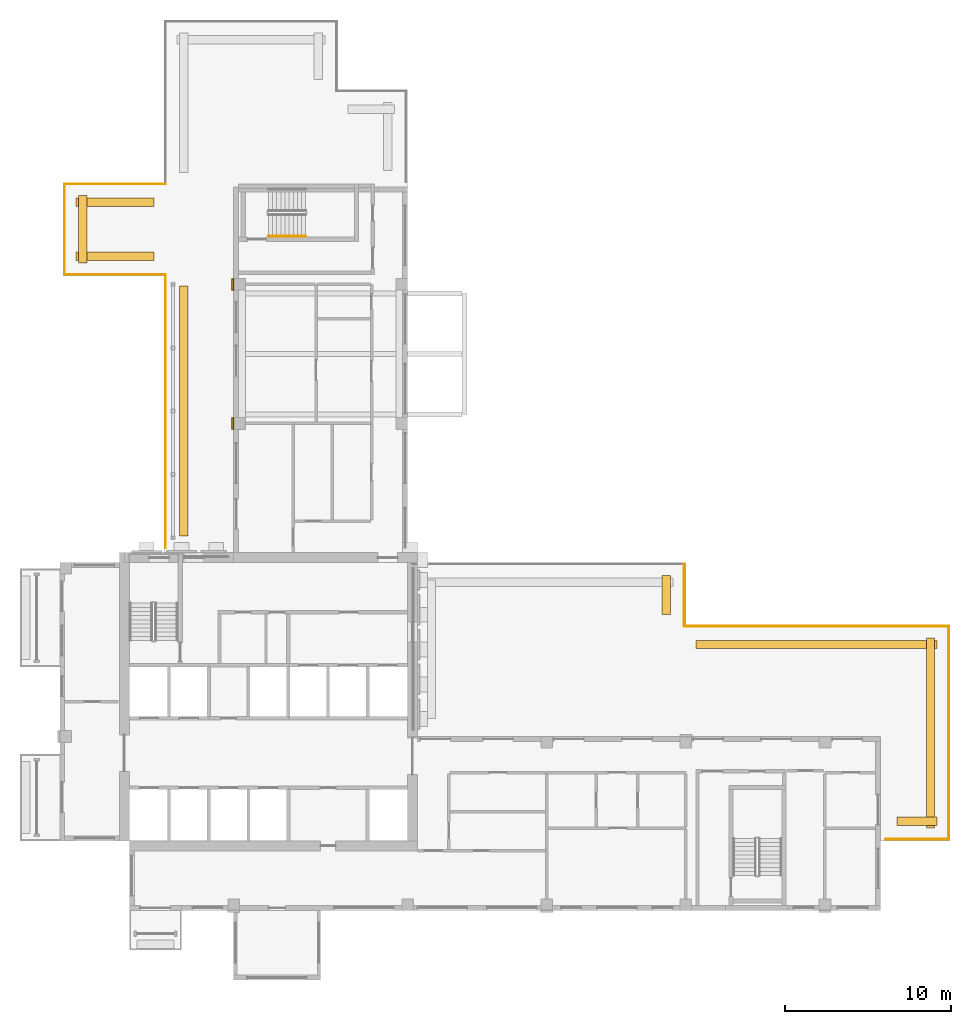
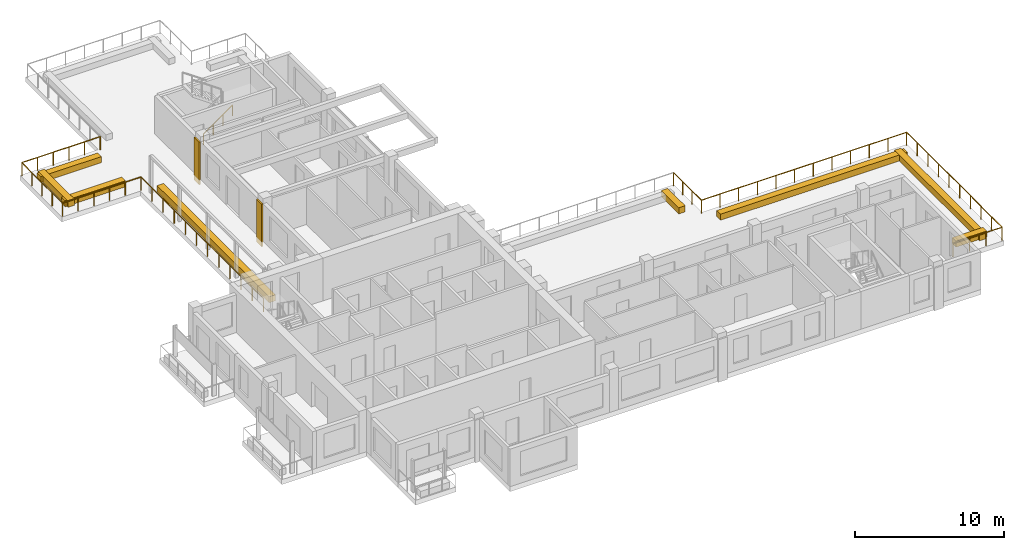
# One storey, part 11 of 12: 10 coverings, 9 railings.
"""IFC4 building model written with IfcOpenShell, lengths in metres."""

from ifc_helpers import new_model, si_unit, direction, frame, origin, origin_2d, place, context, subcontext, project, spatial, rectangle, circle, extrude, source, transform, mapped, material, type_object, element, save


model = new_model("IFC4")

# Units and contexts
model_context = context("Model", 3, precision=1e-05, world=origin(), true_north=direction((0.0, 1.0)))
body_context = subcontext(model_context, "Body", "Model", "MODEL_VIEW")
ifc_project = project(units=[si_unit("LENGTHUNIT", "METRE"), si_unit("AREAUNIT", "SQUARE_METRE"), si_unit("VOLUMEUNIT", "CUBIC_METRE"), si_unit("PLANEANGLEUNIT", "RADIAN"), si_unit("MASSUNIT", "GRAM", prefix="KILO")], contexts=[model_context])

# Site, building, storey
site_placement = place(None, origin())
site = spatial("IfcSite", under=ifc_project, at=site_placement, CompositionType="ELEMENT")
building_placement = place(site_placement, origin())
building = spatial("IfcBuilding", under=site, at=building_placement, Name="Aurelian Terraces", CompositionType="ELEMENT")
storey_placement = place(building_placement, frame((0.0, 0.0, 284.5)))
storey = spatial("IfcBuildingStorey", under=building, at=storey_placement, Name="L64", CompositionType="ELEMENT", Elevation=284.5)

# Railings
ifc_material_1 = material(Name="Anodised aluminium", Category="aluminium")
railing_type_1 = type_object("IfcRailingType", Name="GUARD-1100", PredefinedType="GUARDRAIL", material=ifc_material_1)
railing_1_placement = place(storey_placement, frame((37.71, 20.91, 0.0)))
element("IfcRailing", 1, at=railing_1_placement, inside=storey, type_object=railing_type_1, Name="Terrace guard L64 L64-X1.2", PredefinedType="GUARDRAIL", context=body_context, shape_type="SweptSolid", body=[
    extrude(circle(Radius=0.024, at=origin_2d()), frame((0.0, 0.0, 1.076), z_axis=(0.0, -1.0, 0.0), x_axis=(1.0, 0.0, 0.0)), (0.0, 0.0, 1.0), 3.75),
    extrude(circle(Radius=0.021, at=origin_2d()), origin(), (0.0, 0.0, 1.0), 1.052),
    extrude(circle(Radius=0.021, at=origin_2d()), frame((0.0, -1.25, 0.0)), (0.0, 0.0, 1.0), 1.052),
    extrude(circle(Radius=0.021, at=origin_2d()), frame((0.0, -2.5, 0.0)), (0.0, 0.0, 1.0), 1.052),
    extrude(circle(Radius=0.021, at=origin_2d()), frame((0.0, -3.75, 0.0)), (0.0, 0.0, 1.0), 1.052),
])
railing_2_placement = place(storey_placement, frame((53.67, 17.16, 0.0)))
element("IfcRailing", 2, at=railing_2_placement, inside=storey, type_object=railing_type_1, Name="Terrace guard L64 L64-X1.4", PredefinedType="GUARDRAIL", context=body_context, shape_type="SweptSolid", body=[
    extrude(circle(Radius=0.024, at=origin_2d()), frame((0.0, 0.0, 1.076), z_axis=(0.0, -1.0, 0.0), x_axis=(1.0, 0.0, 0.0)), (0.0, 0.0, 1.0), 12.87),
    extrude(circle(Radius=0.021, at=origin_2d()), origin(), (0.0, 0.0, 1.0), 1.052),
    extrude(circle(Radius=0.021, at=origin_2d()), frame((0.0, -1.43, 0.0)), (0.0, 0.0, 1.0), 1.052),
    extrude(circle(Radius=0.021, at=origin_2d()), frame((0.0, -2.86, 0.0)), (0.0, 0.0, 1.0), 1.052),
    extrude(circle(Radius=0.021, at=origin_2d()), frame((0.0, -4.29, 0.0)), (0.0, 0.0, 1.0), 1.052),
    extrude(circle(Radius=0.021, at=origin_2d()), frame((0.0, -5.72, 0.0)), (0.0, 0.0, 1.0), 1.052),
    extrude(circle(Radius=0.021, at=origin_2d()), frame((0.0, -7.15, 0.0)), (0.0, 0.0, 1.0), 1.052),
    extrude(circle(Radius=0.021, at=origin_2d()), frame((0.0, -8.58, 0.0)), (0.0, 0.0, 1.0), 1.052),
    extrude(circle(Radius=0.021, at=origin_2d()), frame((0.0, -10.01, 0.0)), (0.0, 0.0, 1.0), 1.052),
    extrude(circle(Radius=0.021, at=origin_2d()), frame((0.0, -11.44, 0.0)), (0.0, 0.0, 1.0), 1.052),
    extrude(circle(Radius=0.021, at=origin_2d()), frame((0.0, -12.87, 0.0)), (0.0, 0.0, 1.0), 1.052),
])
railing_3_placement = place(storey_placement, frame((6.39, 21.9, 0.0)))
element("IfcRailing", 3, at=railing_3_placement, inside=storey, type_object=railing_type_1, Name="Terrace guard L64 L64-X2.1", PredefinedType="GUARDRAIL", context=body_context, shape_type="SweptSolid", body=[
    extrude(circle(Radius=0.024, at=origin_2d()), frame((0.0, 0.0, 1.076), z_axis=(0.0, 1.0, 0.0), x_axis=(-1.0, 0.0, 0.0)), (0.0, 0.0, 1.0), 16.49),
    extrude(circle(Radius=0.021, at=origin_2d()), origin(), (0.0, 0.0, 1.0), 1.052),
    extrude(circle(Radius=0.021, at=origin_2d()), frame((0.0, 1.4991, 0.0)), (0.0, 0.0, 1.0), 1.052),
    extrude(circle(Radius=0.021, at=origin_2d()), frame((0.0, 2.9982, 0.0)), (0.0, 0.0, 1.0), 1.052),
    extrude(circle(Radius=0.021, at=origin_2d()), frame((0.0, 4.4973, 0.0)), (0.0, 0.0, 1.0), 1.052),
    extrude(circle(Radius=0.021, at=origin_2d()), frame((0.0, 5.9964, 0.0)), (0.0, 0.0, 1.0), 1.052),
    extrude(circle(Radius=0.021, at=origin_2d()), frame((0.0, 7.4955, 0.0)), (0.0, 0.0, 1.0), 1.052),
    extrude(circle(Radius=0.021, at=origin_2d()), frame((0.0, 8.9945, 0.0)), (0.0, 0.0, 1.0), 1.052),
    extrude(circle(Radius=0.021, at=origin_2d()), frame((0.0, 10.4936, 0.0)), (0.0, 0.0, 1.0), 1.052),
    extrude(circle(Radius=0.021, at=origin_2d()), frame((0.0, 11.9927, 0.0)), (0.0, 0.0, 1.0), 1.052),
    extrude(circle(Radius=0.021, at=origin_2d()), frame((0.0, 13.4918, 0.0)), (0.0, 0.0, 1.0), 1.052),
    extrude(circle(Radius=0.021, at=origin_2d()), frame((0.0, 14.9909, 0.0)), (0.0, 0.0, 1.0), 1.052),
    extrude(circle(Radius=0.021, at=origin_2d()), frame((0.0, 16.49, 0.0)), (0.0, 0.0, 1.0), 1.052),
])
railing_4_placement = place(storey_placement, frame((0.29, 38.39, 0.0)))
element("IfcRailing", 4, at=railing_4_placement, inside=storey, type_object=railing_type_1, Name="Terrace guard L64 L64-X2.3", PredefinedType="GUARDRAIL", context=body_context, shape_type="SweptSolid", body=[
    extrude(circle(Radius=0.024, at=origin_2d()), frame((0.0, 0.0, 1.076), z_axis=(0.0, 1.0, 0.0), x_axis=(-1.0, 0.0, 0.0)), (0.0, 0.0, 1.0), 5.47),
    extrude(circle(Radius=0.021, at=origin_2d()), origin(), (0.0, 0.0, 1.0), 1.052),
    extrude(circle(Radius=0.021, at=origin_2d()), frame((0.0, 1.3675, 0.0)), (0.0, 0.0, 1.0), 1.052),
    extrude(circle(Radius=0.021, at=origin_2d()), frame((0.0, 2.735, 0.0)), (0.0, 0.0, 1.0), 1.052),
    extrude(circle(Radius=0.021, at=origin_2d()), frame((0.0, 4.1025, 0.0)), (0.0, 0.0, 1.0), 1.052),
    extrude(circle(Radius=0.021, at=origin_2d()), frame((0.0, 5.47, 0.0)), (0.0, 0.0, 1.0), 1.052),
])

# Coverings
ifc_material_2 = material(Name="Terracotta planter with planting soil", Category="masonry")
covering_type_1 = type_object("IfcCoveringType", Name="PLANTER-TROUGH", PredefinedType="USERDEFINED", material=ifc_material_2)
covering_1_placement = place(storey_placement, frame((36.61, 19.035, 0.0), z_axis=(0.0, 0.0, 1.0), x_axis=(1.0, 0.0, 0.0)))
element("IfcCovering", 5, at=covering_1_placement, inside=storey, type_object=covering_type_1, Name="PLANTER L64 terrace L64-X1-1.1", ObjectType="PLANTER", PredefinedType="USERDEFINED", context=body_context, shape_type="SweptSolid", body=[
    extrude(rectangle(XDim=0.5, YDim=2.35, at=origin_2d()), origin(), (0.0, 0.0, 1.0), 0.5),
])
covering_2_placement = place(storey_placement, frame((45.69, 16.06, 0.0), z_axis=(0.0, 0.0, 1.0), x_axis=(1.0, 0.0, 0.0)))
element("IfcCovering", 6, at=covering_2_placement, inside=storey, type_object=covering_type_1, Name="PLANTER L64 terrace L64-X1-2.1", ObjectType="PLANTER", PredefinedType="USERDEFINED", context=body_context, shape_type="SweptSolid", body=[
    extrude(rectangle(XDim=14.56, YDim=0.5, at=origin_2d()), origin(), (0.0, 0.0, 1.0), 0.5),
])
covering_3_placement = place(storey_placement, frame((52.57, 10.725, 0.0), z_axis=(0.0, 0.0, 1.0), x_axis=(1.0, 0.0, 0.0)))
element("IfcCovering", 7, at=covering_3_placement, inside=storey, type_object=covering_type_1, Name="PLANTER L64 terrace L64-X1-3.1", ObjectType="PLANTER", PredefinedType="USERDEFINED", context=body_context, shape_type="SweptSolid", body=[
    extrude(rectangle(XDim=0.5, YDim=11.47, at=origin_2d()), origin(), (0.0, 0.0, 1.0), 0.5),
])
covering_4_placement = place(storey_placement, frame((7.49, 30.145, 0.0), z_axis=(0.0, 0.0, 1.0), x_axis=(1.0, 0.0, 0.0)))
element("IfcCovering", 8, at=covering_4_placement, inside=storey, type_object=covering_type_1, Name="PLANTER L64 terrace L64-X2-0.1", ObjectType="PLANTER", PredefinedType="USERDEFINED", context=body_context, shape_type="SweptSolid", body=[
    extrude(rectangle(XDim=0.5, YDim=15.09, at=origin_2d()), origin(), (0.0, 0.0, 1.0), 0.5),
])
covering_5_placement = place(storey_placement, frame((3.34, 39.49, 0.0), z_axis=(0.0, 0.0, 1.0), x_axis=(1.0, 0.0, 0.0)))
element("IfcCovering", 9, at=covering_5_placement, inside=storey, type_object=covering_type_1, Name="PLANTER L64 terrace L64-X2-1.1", ObjectType="PLANTER", PredefinedType="USERDEFINED", context=body_context, shape_type="SweptSolid", body=[
    extrude(rectangle(XDim=4.7, YDim=0.5, at=origin_2d()), origin(), (0.0, 0.0, 1.0), 0.5),
])
covering_6_placement = place(storey_placement, frame((1.39, 41.125, 0.0), z_axis=(0.0, 0.0, 1.0), x_axis=(1.0, 0.0, 0.0)))
element("IfcCovering", 10, at=covering_6_placement, inside=storey, type_object=covering_type_1, Name="PLANTER L64 terrace L64-X2-2.1", ObjectType="PLANTER", PredefinedType="USERDEFINED", context=body_context, shape_type="SweptSolid", body=[
    extrude(rectangle(XDim=0.5, YDim=4.07, at=origin_2d()), origin(), (0.0, 0.0, 1.0), 0.5),
])

# Railing
ifc_material_3 = material(Name="Stainless steel", Category="steel")
railing_type_2 = type_object("IfcRailingType", Name="Stair handrail", PredefinedType="HANDRAIL", material=ifc_material_3)
railing_5_placement = place(storey_placement, frame((12.6, 40.7, 0.175)))
element("IfcRailing", 11, at=railing_5_placement, inside=storey, type_object=railing_type_2, Name="L64 S3U stair handrail 1", PredefinedType="HANDRAIL", context=body_context, shape_type="SweptSolid", body=[
    extrude(circle(Radius=0.024, at=origin_2d()), frame((0.0, 0.0, 0.876), z_axis=(0.819231920519, 0.0, 0.573462344363), x_axis=(0.0, 1.0, 0.0)), (0.0, 0.0, 1.0), 2.7465),
    extrude(circle(Radius=0.021, at=origin_2d()), origin(), (0.0, 0.0, 1.0), 0.852),
    extrude(circle(Radius=0.021, at=origin_2d()), frame((0.75, 0.0, 0.525)), (0.0, 0.0, 1.0), 0.852),
    extrude(circle(Radius=0.021, at=origin_2d()), frame((1.5, 0.0, 1.05)), (0.0, 0.0, 1.0), 0.852),
    extrude(circle(Radius=0.021, at=origin_2d()), frame((2.25, 0.0, 1.575)), (0.0, 0.0, 1.0), 0.852),
])

# Covering
shared_shape_1 = source(origin(), body_context, "Body", "SweptSolid", [
    extrude(rectangle(XDim=2.41, YDim=0.5, at=origin_2d()), origin(), (0.0, 0.0, 1.0), 0.5),
])
covering_7_placement = place(storey_placement, frame((51.765, 5.39, 0.0), z_axis=(0.0, 0.0, 1.0), x_axis=(1.0, 0.0, 0.0)))
element("IfcCovering", 12, at=covering_7_placement, inside=storey, type_object=covering_type_1, Name="PLANTER L64 terrace L64-X1-4.1", ObjectType="PLANTER", PredefinedType="USERDEFINED", context=body_context, shape_type="MappedRepresentation", body=[
    mapped(shared_shape_1, transform((0.0, 0.0, 0.0), scale=1.0)),
])

# Railings
shared_shape_2 = source(origin(), body_context, "Body", "SweptSolid", [
    extrude(circle(Radius=0.024, at=origin_2d()), frame((0.0, 0.0, 1.076), z_axis=(-1.0, 0.0, 0.0), x_axis=(0.0, -1.0, 0.0)), (0.0, 0.0, 1.0), 6.1),
    extrude(circle(Radius=0.021, at=origin_2d()), origin(), (0.0, 0.0, 1.0), 1.052),
    extrude(circle(Radius=0.021, at=origin_2d()), frame((-1.22, 0.0, 0.0)), (0.0, 0.0, 1.0), 1.052),
    extrude(circle(Radius=0.021, at=origin_2d()), frame((-2.44, 0.0, 0.0)), (0.0, 0.0, 1.0), 1.052),
    extrude(circle(Radius=0.021, at=origin_2d()), frame((-3.66, 0.0, 0.0)), (0.0, 0.0, 1.0), 1.052),
    extrude(circle(Radius=0.021, at=origin_2d()), frame((-4.88, 0.0, 0.0)), (0.0, 0.0, 1.0), 1.052),
    extrude(circle(Radius=0.021, at=origin_2d()), frame((-6.1, 0.0, 0.0)), (0.0, 0.0, 1.0), 1.052),
])
railing_6_placement = place(storey_placement, frame((6.39, 38.39, 0.0)))
element("IfcRailing", 13, at=railing_6_placement, inside=storey, type_object=railing_type_1, Name="Terrace guard L64 L64-X2.2", PredefinedType="GUARDRAIL", context=body_context, shape_type="MappedRepresentation", body=[
    mapped(shared_shape_2, transform((0.0, 0.0, 0.0), scale=1.0)),
])
shared_shape_3 = source(origin(), body_context, "Body", "SweptSolid", [
    extrude(circle(Radius=0.024, at=origin_2d()), frame((0.0, 0.0, 1.076), z_axis=(1.0, 0.0, 0.0), x_axis=(0.0, 1.0, 0.0)), (0.0, 0.0, 1.0), 6.1),
    extrude(circle(Radius=0.021, at=origin_2d()), origin(), (0.0, 0.0, 1.0), 1.052),
    extrude(circle(Radius=0.021, at=origin_2d()), frame((1.22, 0.0, 0.0)), (0.0, 0.0, 1.0), 1.052),
    extrude(circle(Radius=0.021, at=origin_2d()), frame((2.44, 0.0, 0.0)), (0.0, 0.0, 1.0), 1.052),
    extrude(circle(Radius=0.021, at=origin_2d()), frame((3.66, 0.0, 0.0)), (0.0, 0.0, 1.0), 1.052),
    extrude(circle(Radius=0.021, at=origin_2d()), frame((4.88, 0.0, 0.0)), (0.0, 0.0, 1.0), 1.052),
    extrude(circle(Radius=0.021, at=origin_2d()), frame((6.1, 0.0, 0.0)), (0.0, 0.0, 1.0), 1.052),
])
railing_7_placement = place(storey_placement, frame((0.29, 43.86, 0.0)))
element("IfcRailing", 14, at=railing_7_placement, inside=storey, type_object=railing_type_1, Name="Terrace guard L64 L64-X2.4", PredefinedType="GUARDRAIL", context=body_context, shape_type="MappedRepresentation", body=[
    mapped(shared_shape_3, transform((0.0, 0.0, 0.0), scale=1.0)),
])

# Coverings
ifc_material_4 = material(Name="Terracotta rainscreen cladding relief", Category="masonry")
covering_type_2 = type_object("IfcCoveringType", Name="BAGUETTE-TC", PredefinedType="CLADDING", material=ifc_material_4)
shared_shape_4 = source(origin(), body_context, "Body", "SweptSolid", [
    extrude(rectangle(XDim=0.12, YDim=0.7, at=origin_2d()), origin(), (0.0, 0.0, 1.0), 3.5),
])
for number, where, z_axis, x_axis, name in (
    (15, (10.44, 29.4, -0.4), (0.0, 0.0, 1.0), (1.0, 0.0, 0.0), "BAGUETTE pier L64 6"),
    (16, (10.44, 37.8, -0.4), (0.0, 0.0, 1.0), (1.0, 0.0, 0.0), "BAGUETTE pier L64 7"),
):
    element("IfcCovering", number, at=place(storey_placement, frame(where, z_axis=z_axis, x_axis=x_axis)), inside=storey, type_object=covering_type_2, Name=name, PredefinedType="CLADDING", context=body_context, shape_type="MappedRepresentation", body=[
        mapped(shared_shape_4, transform((0.0, 0.0, 0.0), scale=1.0)),
    ])

# Railings
shared_shape_5 = source(origin(), body_context, "Body", "SweptSolid", [
    extrude(circle(Radius=0.024, at=origin_2d()), frame((0.0, 0.0, 1.076), z_axis=(1.0, 0.0, 0.0), x_axis=(0.0, 1.0, 0.0)), (0.0, 0.0, 1.0), 15.96),
    extrude(circle(Radius=0.021, at=origin_2d()), origin(), (0.0, 0.0, 1.0), 1.052),
    extrude(circle(Radius=0.021, at=origin_2d()), frame((1.4509, 0.0, 0.0)), (0.0, 0.0, 1.0), 1.052),
    extrude(circle(Radius=0.021, at=origin_2d()), frame((2.9018, 0.0, 0.0)), (0.0, 0.0, 1.0), 1.052),
    extrude(circle(Radius=0.021, at=origin_2d()), frame((4.3527, 0.0, 0.0)), (0.0, 0.0, 1.0), 1.052),
    extrude(circle(Radius=0.021, at=origin_2d()), frame((5.8036, 0.0, 0.0)), (0.0, 0.0, 1.0), 1.052),
    extrude(circle(Radius=0.021, at=origin_2d()), frame((7.2545, 0.0, 0.0)), (0.0, 0.0, 1.0), 1.052),
    extrude(circle(Radius=0.021, at=origin_2d()), frame((8.7055, 0.0, 0.0)), (0.0, 0.0, 1.0), 1.052),
    extrude(circle(Radius=0.021, at=origin_2d()), frame((10.1564, 0.0, 0.0)), (0.0, 0.0, 1.0), 1.052),
    extrude(circle(Radius=0.021, at=origin_2d()), frame((11.6073, 0.0, 0.0)), (0.0, 0.0, 1.0), 1.052),
    extrude(circle(Radius=0.021, at=origin_2d()), frame((13.0582, 0.0, 0.0)), (0.0, 0.0, 1.0), 1.052),
    extrude(circle(Radius=0.021, at=origin_2d()), frame((14.5091, 0.0, 0.0)), (0.0, 0.0, 1.0), 1.052),
    extrude(circle(Radius=0.021, at=origin_2d()), frame((15.96, 0.0, 0.0)), (0.0, 0.0, 1.0), 1.052),
])
railing_8_placement = place(storey_placement, frame((37.71, 17.16, 0.0)))
element("IfcRailing", 17, at=railing_8_placement, inside=storey, type_object=railing_type_1, Name="Terrace guard L64 L64-X1.3", PredefinedType="GUARDRAIL", context=body_context, shape_type="MappedRepresentation", body=[
    mapped(shared_shape_5, transform((0.0, 0.0, 0.0), scale=1.0)),
])
shared_shape_6 = source(origin(), body_context, "Body", "SweptSolid", [
    extrude(circle(Radius=0.024, at=origin_2d()), frame((0.0, 0.0, 1.076), z_axis=(-1.0, 0.0, 0.0), x_axis=(0.0, -1.0, 0.0)), (0.0, 0.0, 1.0), 3.81),
    extrude(circle(Radius=0.021, at=origin_2d()), origin(), (0.0, 0.0, 1.0), 1.052),
    extrude(circle(Radius=0.021, at=origin_2d()), frame((-1.27, 0.0, 0.0)), (0.0, 0.0, 1.0), 1.052),
    extrude(circle(Radius=0.021, at=origin_2d()), frame((-2.54, 0.0, 0.0)), (0.0, 0.0, 1.0), 1.052),
    extrude(circle(Radius=0.021, at=origin_2d()), frame((-3.81, 0.0, 0.0)), (0.0, 0.0, 1.0), 1.052),
])
railing_9_placement = place(storey_placement, frame((53.67, 4.29, 0.0)))
element("IfcRailing", 18, at=railing_9_placement, inside=storey, type_object=railing_type_1, Name="Terrace guard L64 L64-X1.5", PredefinedType="GUARDRAIL", context=body_context, shape_type="MappedRepresentation", body=[
    mapped(shared_shape_6, transform((0.0, 0.0, 0.0), scale=1.0)),
])

# Covering
shared_shape_7 = source(origin(), body_context, "Body", "SweptSolid", [
    extrude(rectangle(XDim=4.7, YDim=0.5, at=origin_2d()), origin(), (0.0, 0.0, 1.0), 0.5),
])
covering_8_placement = place(storey_placement, frame((3.34, 42.76, 0.0), z_axis=(0.0, 0.0, 1.0), x_axis=(1.0, 0.0, 0.0)))
element("IfcCovering", 19, at=covering_8_placement, inside=storey, type_object=covering_type_1, Name="PLANTER L64 terrace L64-X2-3.1", ObjectType="PLANTER", PredefinedType="USERDEFINED", context=body_context, shape_type="MappedRepresentation", body=[
    mapped(shared_shape_7, transform((0.0, 0.0, 0.0), scale=1.0)),
])

save(model, "model.ifc")
